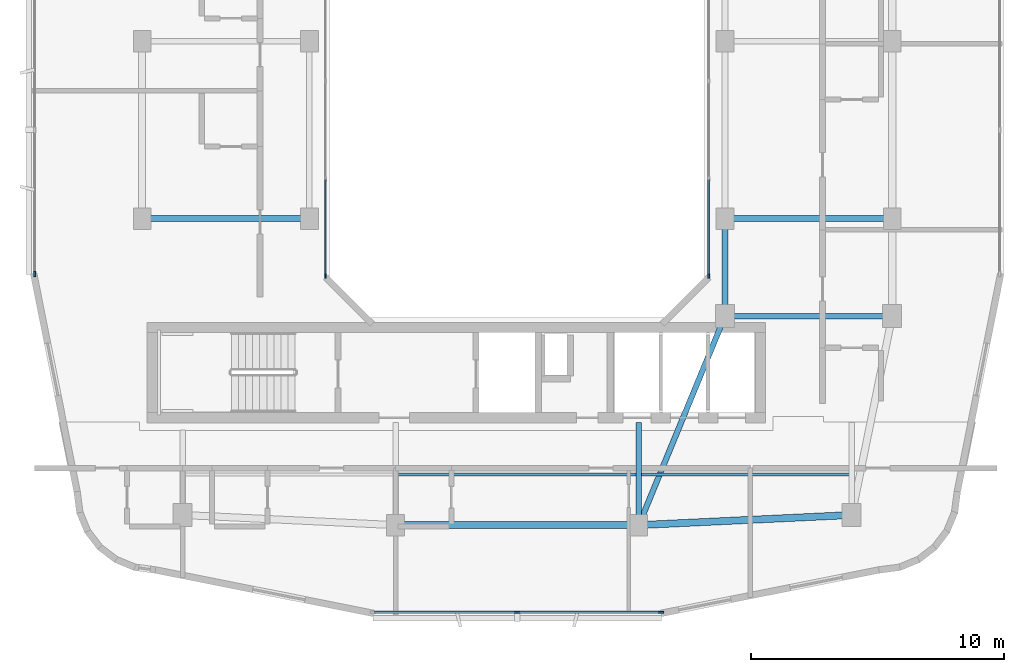
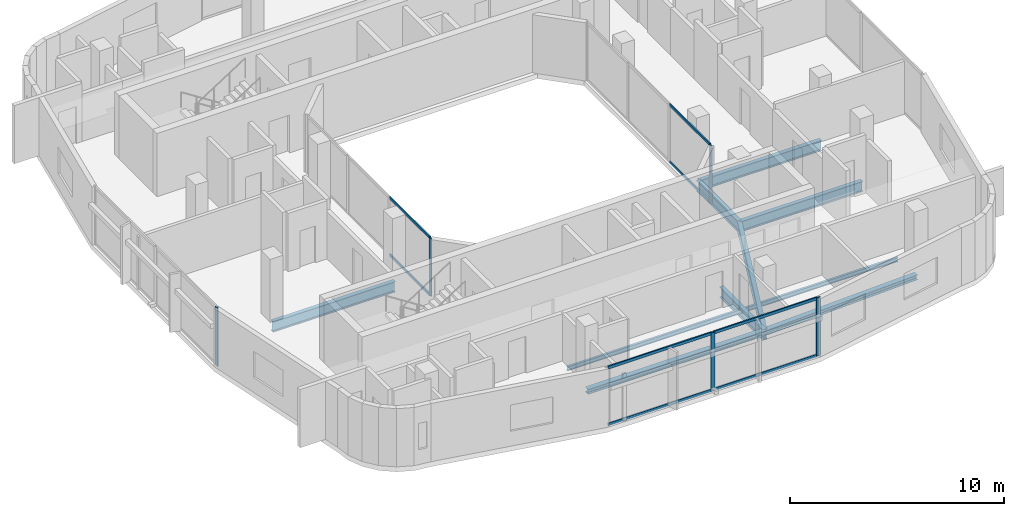
# One storey, part 2 of 14: 13 members, 10 beams, 4 elements without a shape of their own.
"""IFC4 building model written with IfcOpenShell, lengths in metres."""

from ifc_helpers import new_model, si_unit, derived_unit, direction, frame, origin, origin_2d, place, context, subcontext, project, spatial, rectangle, i_section, extrude, material, layer, layer_set, material_profile, profile_set, type_object, element, aggregate, save


model = new_model("IFC4")

# Units and contexts
model_context = context("Model", 3, precision=1e-05, world=origin(), true_north=direction((0.0, 1.0)))
body_context = subcontext(model_context, "Body", "Model", "MODEL_VIEW")
ifc_project = project(units=[si_unit("LENGTHUNIT", "METRE"), si_unit("AREAUNIT", "SQUARE_METRE"), si_unit("VOLUMEUNIT", "CUBIC_METRE"), si_unit("PLANEANGLEUNIT", "RADIAN"), si_unit("MASSUNIT", "GRAM", prefix="KILO"), derived_unit("THERMALTRANSMITTANCEUNIT", [(si_unit("POWERUNIT", "WATT"), 1), (si_unit("LENGTHUNIT", "METRE"), -2), (si_unit("THERMODYNAMICTEMPERATUREUNIT", "KELVIN"), -1)])], contexts=[model_context])

# Site, building, storey
site_placement = place(None, origin())
site = spatial("IfcSite", under=ifc_project, at=site_placement, CompositionType="ELEMENT")
building_placement = place(site_placement, origin())
building = spatial("IfcBuilding", under=site, at=building_placement, Name="Kivonza Crest Hotel", CompositionType="ELEMENT")
storey_placement = place(building_placement, frame((0.0, 0.0, 202.699951171875)))
storey = spatial("IfcBuildingStorey", under=building, at=storey_placement, Name="L55", CompositionType="ELEMENT", Elevation=202.699951171875)

# Beams
ifc_material_1 = material(Name="Steel S355", Category="steel")
ifc_material_profile_1 = material_profile(ifc_material_1, i_section(OverallWidth=0.280029296875, OverallDepth=0.280029296875, WebThickness=0.010498046875, FlangeThickness=0.01806640625, FilletRadius=0.02392578125, at=origin_2d()), Name="HEB 280")
ifc_profile_set_1 = profile_set([ifc_material_profile_1], Name="Steel S355")
beam_type_1 = type_object("IfcBeamType", Name="BM-HEB280", PredefinedType="SPANDREL", material=ifc_profile_set_1)
beam_1_placement = place(storey_placement, frame((16.199951171875, 9.39990234375, -0.419921875), z_axis=(1.0, 0.0, 0.0), x_axis=(0.0, 1.0, 0.0)))
element("IfcBeam", 1, at=beam_1_placement, inside=storey, type_object=beam_type_1, Name="Tower T1 L55 perimeter spandrel S1-S2", PredefinedType="SPANDREL", context=body_context, shape_type="SweptSolid", body=[
    extrude(i_section(OverallWidth=0.280029296875, OverallDepth=0.280029296875, WebThickness=0.010498046875, FlangeThickness=0.01806640625, FilletRadius=0.02392578125, at=origin_2d()), origin(), (0.0, 0.0, 1.0), 9.60009765625),
])
beam_2_placement = place(storey_placement, frame((25.800048828125, 9.39990234375, -0.419921875), z_axis=(0.998867283688, 0.047583080799, 0.0), x_axis=(-0.047583080799, 0.998867283688, 0.0)))
element("IfcBeam", 2, at=beam_2_placement, inside=storey, type_object=beam_type_1, Name="Tower T1 L55 perimeter spandrel S2-SE", PredefinedType="SPANDREL", context=body_context, shape_type="SweptSolid", body=[
    extrude(i_section(OverallWidth=0.280029296875, OverallDepth=0.280029296875, WebThickness=0.010498046875, FlangeThickness=0.01806640625, FilletRadius=0.02392578125, at=origin_2d()), origin(), (0.0, 0.0, 1.0), 8.409423828125),
])
ifc_material_profile_2 = material_profile(ifc_material_1, i_section(OverallWidth=0.1201171875, OverallDepth=0.239990234375, WebThickness=0.006103515625, FlangeThickness=0.009765625, FilletRadius=0.014892578125, at=origin_2d()), Name="IPE 240")
ifc_profile_set_2 = profile_set([ifc_material_profile_2], Name="Steel S355")
beam_type_2 = type_object("IfcBeamType", Name="BM-IPE240", PredefinedType="JOIST", material=ifc_profile_set_2)
beam_3_placement = place(storey_placement, frame((16.280029296875, 11.39990234375, -0.39990234375), z_axis=(1.0, 0.0, 0.0), x_axis=(0.0, 1.0, 0.0)))
element("IfcBeam", 3, at=beam_3_placement, inside=storey, type_object=beam_type_2, Name="Tower T1 L55 South-Mid floor joist", PredefinedType="JOIST", context=body_context, shape_type="SweptSolid", body=[
    extrude(i_section(OverallWidth=0.1201171875, OverallDepth=0.239990234375, WebThickness=0.006103515625, FlangeThickness=0.009765625, FilletRadius=0.014892578125, at=origin_2d()), origin(), (0.0, 0.0, 1.0), 9.43994140625),
])
beam_4_placement = place(storey_placement, frame((25.8798828125, 11.39990234375, -0.39990234375), z_axis=(1.0, 0.0, 0.0), x_axis=(0.0, 1.0, 0.0)))
element("IfcBeam", 4, at=beam_4_placement, inside=storey, type_object=beam_type_2, Name="Tower T1 L55 South-East floor joist", PredefinedType="JOIST", context=body_context, shape_type="SweptSolid", body=[
    extrude(i_section(OverallWidth=0.1201171875, OverallDepth=0.239990234375, WebThickness=0.006103515625, FlangeThickness=0.009765625, FilletRadius=0.014892578125, at=origin_2d()), origin(), (0.0, 0.0, 1.0), 8.240234375),
])
ifc_material_profile_3 = material_profile(ifc_material_1, i_section(OverallWidth=0.219970703125, OverallDepth=0.60009765625, WebThickness=0.011962890625, FlangeThickness=0.01904296875, FilletRadius=0.02392578125, at=origin_2d()), Name="IPE 600")
ifc_profile_set_3 = profile_set([ifc_material_profile_3], Name="Steel S355")
beam_type_3 = type_object("IfcBeamType", Name="BM-IPE600", PredefinedType="BEAM", material=ifc_profile_set_3)
beam_5_placement = place(storey_placement, frame((6.199951171875, 21.5, -0.579833984375), z_axis=(1.0, 0.0, 0.0), x_axis=(0.0, 1.0, 0.0)))
element("IfcBeam", 5, at=beam_5_placement, inside=storey, type_object=beam_type_3, Name="Tower T1 L55 primary girder W1-WL1", PredefinedType="BEAM", context=body_context, shape_type="SweptSolid", body=[
    extrude(i_section(OverallWidth=0.219970703125, OverallDepth=0.60009765625, WebThickness=0.011962890625, FlangeThickness=0.01904296875, FilletRadius=0.02392578125, at=origin_2d()), origin(), (0.0, 0.0, 1.0), 6.60009765625),
])
beam_6_placement = place(storey_placement, frame((25.800048828125, 9.39990234375, -0.579833984375), z_axis=(0.381022260404, 0.924565864109, 0.0), x_axis=(-0.924565864109, 0.381022260404, 0.0)))
element("IfcBeam", 6, at=beam_6_placement, inside=storey, type_object=beam_type_3, Name="Tower T1 L55 primary girder S1-TSE", PredefinedType="BEAM", context=body_context, shape_type="SweptSolid", body=[
    extrude(i_section(OverallWidth=0.219970703125, OverallDepth=0.60009765625, WebThickness=0.011962890625, FlangeThickness=0.01904296875, FilletRadius=0.02392578125, at=origin_2d()), origin(), (0.0, 0.0, 1.0), 8.923095703125),
])
beam_7_placement = place(storey_placement, frame((29.199951171875, 17.64990234375, -0.579833984375), z_axis=(1.0, 0.0, 0.0), x_axis=(0.0, 1.0, 0.0)))
element("IfcBeam", 7, at=beam_7_placement, inside=storey, type_object=beam_type_3, Name="Tower T1 L55 primary girder TSE-PSE", PredefinedType="BEAM", context=body_context, shape_type="SweptSolid", body=[
    extrude(i_section(OverallWidth=0.219970703125, OverallDepth=0.60009765625, WebThickness=0.011962890625, FlangeThickness=0.01904296875, FilletRadius=0.02392578125, at=origin_2d()), origin(), (0.0, 0.0, 1.0), 6.60009765625),
])
beam_8_placement = place(storey_placement, frame((29.199951171875, 17.64990234375, -0.579833984375), z_axis=(0.0, 1.0, 0.0), x_axis=(-1.0, 0.0, 0.0)))
element("IfcBeam", 8, at=beam_8_placement, inside=storey, type_object=beam_type_3, Name="Tower T1 L55 primary girder TSE-WR1", PredefinedType="BEAM", context=body_context, shape_type="SweptSolid", body=[
    extrude(i_section(OverallWidth=0.219970703125, OverallDepth=0.60009765625, WebThickness=0.011962890625, FlangeThickness=0.01904296875, FilletRadius=0.02392578125, at=origin_2d()), origin(), (0.0, 0.0, 1.0), 3.85009765625),
])
beam_9_placement = place(storey_placement, frame((29.199951171875, 21.5, -0.579833984375), z_axis=(1.0, 0.0, 0.0), x_axis=(0.0, 1.0, 0.0)))
element("IfcBeam", 9, at=beam_9_placement, inside=storey, type_object=beam_type_3, Name="Tower T1 L55 primary girder WR1-E1", PredefinedType="BEAM", context=body_context, shape_type="SweptSolid", body=[
    extrude(i_section(OverallWidth=0.219970703125, OverallDepth=0.60009765625, WebThickness=0.011962890625, FlangeThickness=0.01904296875, FilletRadius=0.02392578125, at=origin_2d()), origin(), (0.0, 0.0, 1.0), 6.60009765625),
])
beam_10_placement = place(storey_placement, frame((25.800048828125, 9.39990234375, -0.579833984375), z_axis=(0.0, 1.0, 0.0), x_axis=(-1.0, 0.0, 0.0)))
element("IfcBeam", 10, at=beam_10_placement, inside=storey, type_object=beam_type_3, Name="Tower T1 L55 radial core girder RS2", PredefinedType="BEAM", context=body_context, shape_type="SweptSolid", body=[
    extrude(i_section(OverallWidth=0.219970703125, OverallDepth=0.60009765625, WebThickness=0.011962890625, FlangeThickness=0.01904296875, FilletRadius=0.02392578125, at=origin_2d()), origin(), (0.0, 0.0, 1.0), 4.050048828125),
])

# Curtain wall, member
ifc_material_2 = material(Name="Anodised bronze aluminium and low-E double glazing", Category="aluminium")
ifc_layer_1 = layer(ifc_material_2, 0.159912109375)
ifc_layer_set_1 = layer_set([ifc_layer_1], Name="Anodised bronze aluminium and low-E double glazing")
curtain_wall_type_1 = type_object("IfcCurtainWallType", Name="CW-SYS-5", PredefinedType="NOTDEFINED", material=ifc_layer_set_1)
curtain_wall_1_placement = place(storey_placement, origin())
curtain_wall_1 = element("IfcCurtainWall", 11, at=curtain_wall_1_placement, inside=storey, type_object=curtain_wall_type_1, Name="L55 unitised curtain wall CW-WELL-T1-L55-3", PredefinedType="NOTDEFINED")
ifc_material_3 = material(Name="Anodised bronze aluminium", Category="aluminium")
ifc_material_profile_4 = material_profile(ifc_material_3, rectangle(XDim=0.06494140625, YDim=0.179931640625, at=origin_2d()), Name="CW-M 65x180")
ifc_profile_set_4 = profile_set([ifc_material_profile_4], Name="Anodised bronze aluminium")
member_type_1 = type_object("IfcMemberType", Name="CW-MUL-65x180", PredefinedType="MULLION", material=ifc_profile_set_4)
member_1_placement = place(storey_placement, frame((28.56005859375, 19.232421875, 0.0), z_axis=(0.0, 0.0, 1.0), x_axis=(-1.0, 0.0, 0.0)))
member_1 = element("IfcMember", 12, at=member_1_placement, type_object=member_type_1, Name="CW-5 mullion 1", PredefinedType="MULLION", context=body_context, shape_type="SweptSolid", body=[
    extrude(rectangle(XDim=0.06494140625, YDim=0.179931640625, at=origin_2d()), origin(), (0.0, 0.0, 1.0), 3.320068359375),
])

curtain_wall_2_placement = place(storey_placement, origin())
curtain_wall_2 = element("IfcCurtainWall", 13, at=curtain_wall_2_placement, inside=storey, type_object=curtain_wall_type_1, Name="L55 unitised curtain wall CW-WELL-T1-L55-7", PredefinedType="NOTDEFINED")
member_2_placement = place(storey_placement, frame((13.43994140625, 19.232421875, 0.0), z_axis=(0.0, 0.0, 1.0), x_axis=(1.0, 0.0, 0.0)))
member_2 = element("IfcMember", 14, at=member_2_placement, type_object=member_type_1, Name="CW-5 mullion 4", PredefinedType="MULLION", context=body_context, shape_type="SweptSolid", body=[
    extrude(rectangle(XDim=0.06494140625, YDim=0.179931640625, at=origin_2d()), origin(), (0.0, 0.0, 1.0), 3.320068359375),
])

# Curtain wall, members
ifc_layer_2 = layer(ifc_material_2, 0.179931640625)
ifc_layer_set_2 = layer_set([ifc_layer_2], Name="Anodised bronze aluminium and low-E double glazing")
curtain_wall_type_2 = type_object("IfcCurtainWallType", Name="CW-SYS-3", PredefinedType="NOTDEFINED", material=ifc_layer_set_2)
curtain_wall_3_placement = place(storey_placement, origin())
curtain_wall_3 = element("IfcCurtainWall", 15, at=curtain_wall_3_placement, inside=storey, type_object=curtain_wall_type_2, Name="L55 unitised curtain wall CW-T1-L55-08", PredefinedType="NOTDEFINED")
ifc_material_profile_5 = material_profile(ifc_material_3, rectangle(XDim=0.074951171875, YDim=0.219970703125, at=origin_2d()), Name="CW-M 75x220")
ifc_profile_set_5 = profile_set([ifc_material_profile_5], Name="Anodised bronze aluminium")
member_type_2 = type_object("IfcMemberType", Name="CW-MUL-75x220", PredefinedType="MULLION", material=ifc_profile_set_5)
member_3_placement = place(storey_placement, frame((21.0, 5.9599609375, 0.0), z_axis=(0.0, 0.0, 1.0), x_axis=(0.0, 1.0, 0.0)))
member_3 = element("IfcMember", 16, at=member_3_placement, type_object=member_type_2, Name="CW-3 mullion 2", PredefinedType="MULLION", context=body_context, shape_type="SweptSolid", body=[
    extrude(rectangle(XDim=0.074951171875, YDim=0.219970703125, at=origin_2d()), origin(), (0.0, 0.0, 1.0), 3.320068359375),
])
member_4_placement = place(storey_placement, frame((26.6826171875, 5.9599609375, 0.0), z_axis=(0.0, 0.0, 1.0), x_axis=(0.0, 1.0, 0.0)))
member_4 = element("IfcMember", 17, at=member_4_placement, type_object=member_type_2, Name="CW-3 mullion 3", PredefinedType="MULLION", context=body_context, shape_type="SweptSolid", body=[
    extrude(rectangle(XDim=0.074951171875, YDim=0.219970703125, at=origin_2d()), origin(), (0.0, 0.0, 1.0), 3.320068359375),
])

# Curtain wall, member
curtain_wall_4_placement = place(storey_placement, origin())
curtain_wall_4 = element("IfcCurtainWall", 18, at=curtain_wall_4_placement, inside=storey, type_object=curtain_wall_type_2, Name="L55 unitised curtain wall CW-T1-L55-35", PredefinedType="NOTDEFINED")
member_5_placement = place(storey_placement, frame((1.9599609375, 19.3173828125, 0.0), z_axis=(0.0, 0.0, 1.0), x_axis=(1.0, 0.0, 0.0)))
member_5 = element("IfcMember", 19, at=member_5_placement, type_object=member_type_2, Name="CW-3 mullion 3", PredefinedType="MULLION", context=body_context, shape_type="SweptSolid", body=[
    extrude(rectangle(XDim=0.074951171875, YDim=0.219970703125, at=origin_2d()), origin(), (0.0, 0.0, 1.0), 3.320068359375),
])
aggregate(curtain_wall_4, [member_5])

# Member
ifc_material_profile_6 = material_profile(ifc_material_3, rectangle(XDim=0.06494140625, YDim=0.139892578125, at=origin_2d()), Name="CW-T 65x140")
ifc_profile_set_6 = profile_set([ifc_material_profile_6], Name="Anodised bronze aluminium")
member_type_3 = type_object("IfcMemberType", Name="CW-TRN-65x140", PredefinedType="USERDEFINED", material=ifc_profile_set_6)
member_6_placement = place(storey_placement, frame((28.56005859375, 19.264892578125, 0.032470703125), z_axis=(0.0, 1.0, 0.0), x_axis=(-1.0, 0.0, 0.0)))
member_6 = element("IfcMember", 20, at=member_6_placement, type_object=member_type_3, Name="CW-5 transom 1.1", ObjectType="TRANSOM", PredefinedType="USERDEFINED", context=body_context, shape_type="SweptSolid", body=[
    extrude(rectangle(XDim=0.06494140625, YDim=0.139892578125, at=origin_2d()), origin(), (0.0, 0.0, 1.0), 3.769287109375),
])

member_7_placement = place(storey_placement, frame((28.56005859375, 19.264892578125, 3.28759765625), z_axis=(0.0, 1.0, 0.0), x_axis=(-1.0, 0.0, 0.0)))
member_7 = element("IfcMember", 21, at=member_7_placement, type_object=member_type_3, Name="CW-5 transom 1.2", ObjectType="TRANSOM", PredefinedType="USERDEFINED", context=body_context, shape_type="SweptSolid", body=[
    extrude(rectangle(XDim=0.06494140625, YDim=0.139892578125, at=origin_2d()), origin(), (0.0, 0.0, 1.0), 3.769287109375),
])

aggregate(curtain_wall_1, [member_1, member_6, member_7])

member_8_placement = place(storey_placement, frame((13.43994140625, 23.0341796875, 0.032470703125), z_axis=(0.0, -1.0, 0.0), x_axis=(1.0, 0.0, 0.0)))
member_8 = element("IfcMember", 22, at=member_8_placement, type_object=member_type_3, Name="CW-5 transom 3.1", ObjectType="TRANSOM", PredefinedType="USERDEFINED", context=body_context, shape_type="SweptSolid", body=[
    extrude(rectangle(XDim=0.06494140625, YDim=0.139892578125, at=origin_2d()), origin(), (0.0, 0.0, 1.0), 3.769287109375),
])

member_9_placement = place(storey_placement, frame((13.43994140625, 23.0341796875, 3.28759765625), z_axis=(0.0, -1.0, 0.0), x_axis=(1.0, 0.0, 0.0)))
member_9 = element("IfcMember", 23, at=member_9_placement, type_object=member_type_3, Name="CW-5 transom 3.2", ObjectType="TRANSOM", PredefinedType="USERDEFINED", context=body_context, shape_type="SweptSolid", body=[
    extrude(rectangle(XDim=0.06494140625, YDim=0.139892578125, at=origin_2d()), origin(), (0.0, 0.0, 1.0), 3.769287109375),
])

aggregate(curtain_wall_2, [member_2, member_8, member_9])

ifc_material_profile_7 = material_profile(ifc_material_3, rectangle(XDim=0.074951171875, YDim=0.159912109375, at=origin_2d()), Name="CW-T 75x160")
ifc_profile_set_7 = profile_set([ifc_material_profile_7], Name="Anodised bronze aluminium")
member_type_4 = type_object("IfcMemberType", Name="CW-TRN-75x160", PredefinedType="USERDEFINED", material=ifc_profile_set_7)
member_10_placement = place(storey_placement, frame((15.35498046875, 5.9599609375, 0.03759765625), z_axis=(1.0, 0.0, 0.0), x_axis=(0.0, 1.0, 0.0)))
member_10 = element("IfcMember", 24, at=member_10_placement, type_object=member_type_4, Name="CW-3 transom 1.1", ObjectType="TRANSOM", PredefinedType="USERDEFINED", context=body_context, shape_type="SweptSolid", body=[
    extrude(rectangle(XDim=0.074951171875, YDim=0.159912109375, at=origin_2d()), origin(), (0.0, 0.0, 1.0), 5.607421875),
])

member_11_placement = place(storey_placement, frame((15.35498046875, 5.9599609375, 3.282470703125), z_axis=(1.0, 0.0, 0.0), x_axis=(0.0, 1.0, 0.0)))
member_11 = element("IfcMember", 25, at=member_11_placement, type_object=member_type_4, Name="CW-3 transom 1.2", ObjectType="TRANSOM", PredefinedType="USERDEFINED", context=body_context, shape_type="SweptSolid", body=[
    extrude(rectangle(XDim=0.074951171875, YDim=0.159912109375, at=origin_2d()), origin(), (0.0, 0.0, 1.0), 5.607421875),
])

member_12_placement = place(storey_placement, frame((21.03759765625, 5.9599609375, 0.03759765625), z_axis=(1.0, 0.0, 0.0), x_axis=(0.0, 1.0, 0.0)))
member_12 = element("IfcMember", 26, at=member_12_placement, type_object=member_type_4, Name="CW-3 transom 2.1", ObjectType="TRANSOM", PredefinedType="USERDEFINED", context=body_context, shape_type="SweptSolid", body=[
    extrude(rectangle(XDim=0.074951171875, YDim=0.159912109375, at=origin_2d()), origin(), (0.0, 0.0, 1.0), 5.607421875),
])

member_13_placement = place(storey_placement, frame((21.03759765625, 5.9599609375, 3.282470703125), z_axis=(1.0, 0.0, 0.0), x_axis=(0.0, 1.0, 0.0)))
member_13 = element("IfcMember", 27, at=member_13_placement, type_object=member_type_4, Name="CW-3 transom 2.2", ObjectType="TRANSOM", PredefinedType="USERDEFINED", context=body_context, shape_type="SweptSolid", body=[
    extrude(rectangle(XDim=0.074951171875, YDim=0.159912109375, at=origin_2d()), origin(), (0.0, 0.0, 1.0), 5.607421875),
])

aggregate(curtain_wall_3, [member_3, member_4, member_10, member_11, member_12, member_13])

save(model, "model.ifc")
